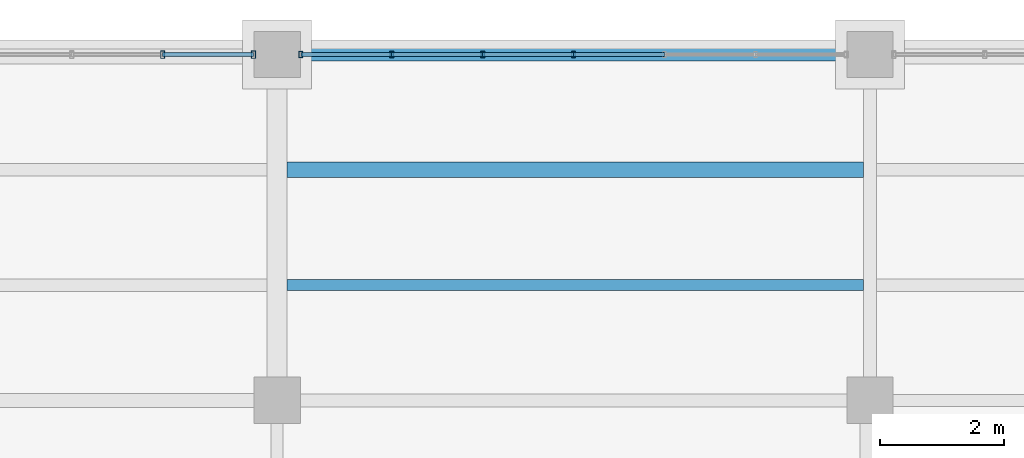
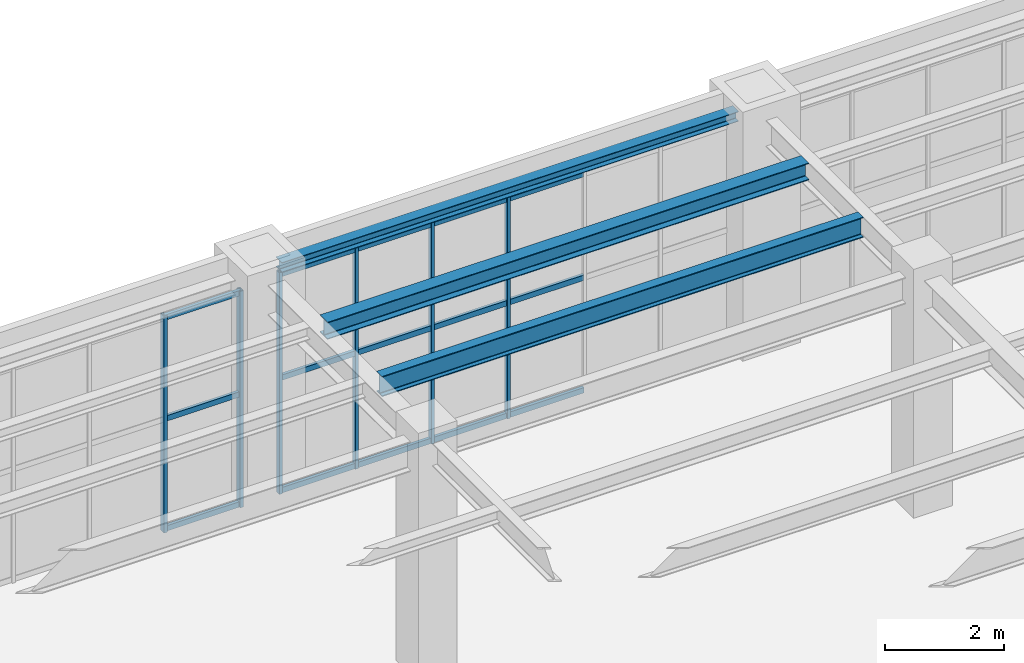
# One storey, part 75 of 174: 21 members, 3 beams, 2 elements without a shape of their own.
"""IFC4 building model written with IfcOpenShell, lengths in metres."""

from ifc_helpers import new_model, si_unit, direction, frame, origin, origin_2d, place, context, subcontext, project, spatial, hollow_rectangle, i_section, extrude, material, material_profile, profile_set, type_object, element, aggregate, save


model = new_model("IFC4")

# Units and contexts
model_context = context("Model", 3, precision=1e-05, world=origin(), true_north=direction((0.0, 1.0)))
body_context = subcontext(model_context, "Body", "Model", "MODEL_VIEW")
ifc_project = project(units=[si_unit("LENGTHUNIT", "METRE"), si_unit("AREAUNIT", "SQUARE_METRE"), si_unit("VOLUMEUNIT", "CUBIC_METRE"), si_unit("PLANEANGLEUNIT", "RADIAN"), si_unit("MASSUNIT", "GRAM", prefix="KILO")], contexts=[model_context])

# Site, building, storey
site_placement = place(None, origin())
site = spatial("IfcSite", under=ifc_project, at=site_placement, CompositionType="ELEMENT")
building_placement = place(site_placement, origin())
building = spatial("IfcBuilding", under=site, at=building_placement, Name="Mavantir Sound Aquarium", CompositionType="ELEMENT")
storey_placement = place(building_placement, frame((0.0, 0.0, 5.39990234375)))
storey = spatial("IfcBuildingStorey", under=building, at=storey_placement, Name="L01", CompositionType="ELEMENT", Elevation=5.39990234375)

# Beams
ifc_material_1 = material(Name="Structural Steel ASTM A992 Gr50", Category="steel")
ifc_material_profile_1 = material_profile(ifc_material_1, i_section(OverallWidth=0.202880859375, OverallDepth=0.202880859375, WebThickness=0.007080078125, FlangeThickness=0.010986328125, FilletRadius=0.010009765625, at=origin_2d()), Name="W200X46")
ifc_profile_set_1 = profile_set([ifc_material_profile_1], Name="Structural Steel ASTM A992 Gr50")
beam_type_1 = type_object("IfcBeamType", Name="BM-W200X46-E", PredefinedType="LINTEL", material=ifc_profile_set_1)
beam_1_placement = place(storey_placement, frame((9.97509765625, 116.0, 4.674560546875), z_axis=(1.0, 0.0, 0.0), x_axis=(0.0, 1.0, 0.0)))
element("IfcBeam", 1, at=beam_1_placement, inside=storey, type_object=beam_type_1, Name="L01 primary beam SL-20 1374", PredefinedType="LINTEL", context=body_context, shape_type="SweptSolid", body=[
    extrude(i_section(OverallWidth=0.202880859375, OverallDepth=0.202880859375, WebThickness=0.007080078125, FlangeThickness=0.010986328125, FilletRadius=0.010009765625, at=origin_2d()), origin(), (0.0, 0.0, 1.0), 8.849853515625),
])
ifc_material_profile_2 = material_profile(ifc_material_1, i_section(OverallWidth=0.25390625, OverallDepth=0.35302734375, WebThickness=0.009521484375, FlangeThickness=0.016357421875, FilletRadius=0.014892578125, at=origin_2d()), Name="W360X91")
ifc_profile_set_2 = profile_set([ifc_material_profile_2], Name="Structural Steel ASTM A992 Gr50")
beam_type_2 = type_object("IfcBeamType", Name="BM-W360X91-I", PredefinedType="JOIST", material=ifc_profile_set_2)
beam_2_placement = place(storey_placement, frame((9.761962890625, 114.13330078125, 4.599609375), z_axis=(1.0, 0.0, 0.0), x_axis=(0.0, 1.0, 0.0)))
element("IfcBeam", 2, at=beam_2_placement, inside=storey, type_object=beam_type_2, Name="L01 secondary floor joist SJ-36 826", PredefinedType="JOIST", context=body_context, shape_type="SweptSolid", body=[
    extrude(i_section(OverallWidth=0.25390625, OverallDepth=0.35302734375, WebThickness=0.009521484375, FlangeThickness=0.016357421875, FilletRadius=0.014892578125, at=origin_2d()), origin(), (0.0, 0.0, 1.0), 9.33203125),
])
ifc_material_profile_3 = material_profile(ifc_material_1, i_section(OverallWidth=0.180908203125, OverallDepth=0.4169921875, WebThickness=0.010986328125, FlangeThickness=0.018310546875, FilletRadius=0.014892578125, at=origin_2d()), Name="W410X85")
ifc_profile_set_3 = profile_set([ifc_material_profile_3], Name="Structural Steel ASTM A992 Gr50")
beam_type_3 = type_object("IfcBeamType", Name="BM-W410X85-I", PredefinedType="JOIST", material=ifc_profile_set_3)
beam_3_placement = place(storey_placement, frame((9.761962890625, 112.2666015625, 4.567626953125), z_axis=(1.0, 0.0, 0.0), x_axis=(0.0, 1.0, 0.0)))
element("IfcBeam", 3, at=beam_3_placement, inside=storey, type_object=beam_type_3, Name="L01 secondary floor joist SJ-41 825", PredefinedType="JOIST", context=body_context, shape_type="SweptSolid", body=[
    extrude(i_section(OverallWidth=0.180908203125, OverallDepth=0.4169921875, WebThickness=0.010986328125, FlangeThickness=0.018310546875, FilletRadius=0.014892578125, at=origin_2d()), origin(), (0.0, 0.0, 1.0), 9.33203125),
])

# Curtain wall, members
ifc_material_2 = material(Name="Anodised Marine Aluminium and Low-E Glass", Category="aluminium")
curtain_wall_type_1 = type_object("IfcCurtainWallType", Name="CW-T23", PredefinedType="USERDEFINED", material=ifc_material_2)
curtain_wall_1_placement = place(storey_placement, origin())
curtain_wall_1 = element("IfcCurtainWall", 4, at=curtain_wall_1_placement, inside=storey, type_object=curtain_wall_type_1, Name="L01 unitised curtain wall CW-23 119", ObjectType="UNITISED GLAZING", PredefinedType="USERDEFINED")
ifc_material_3 = material(Name="Anodised Marine Aluminium 6063-T6", Category="aluminium")
ifc_material_profile_4 = material_profile(ifc_material_3, hollow_rectangle(XDim=0.06005859375, YDim=0.10009765625, WallThickness=0.00390625, at=origin_2d()), Name="ALU-MULLION-100X60")
ifc_profile_set_4 = profile_set([ifc_material_profile_4], Name="Anodised Marine Aluminium 6063-T6")
member_type_1 = type_object("IfcMemberType", Name="CW-MUL-100", PredefinedType="MULLION", material=ifc_profile_set_4)
member_1_placement = place(storey_placement, frame((14.39990234375, 116.0, 0.0), z_axis=(0.0, 0.0, 1.0), x_axis=(1.0, 0.0, 0.0)))
member_1 = element("IfcMember", 5, at=member_1_placement, type_object=member_type_1, Name="CW-L01-119 vertical mullion 4", PredefinedType="MULLION", context=body_context, shape_type="SweptSolid", body=[
    extrude(hollow_rectangle(XDim=0.06005859375, YDim=0.10009765625, WallThickness=0.00390625, at=origin_2d()), origin(), (0.0, 0.0, 1.0), 4.543212890625),
])
member_2_placement = place(storey_placement, frame((12.927734375, 116.0, 0.0), z_axis=(0.0, 0.0, 1.0), x_axis=(1.0, 0.0, 0.0)))
member_2 = element("IfcMember", 6, at=member_2_placement, type_object=member_type_1, Name="CW-L01-119 vertical mullion 5", PredefinedType="MULLION", context=body_context, shape_type="SweptSolid", body=[
    extrude(hollow_rectangle(XDim=0.06005859375, YDim=0.10009765625, WallThickness=0.00390625, at=origin_2d()), origin(), (0.0, 0.0, 1.0), 4.543212890625),
])
member_3_placement = place(storey_placement, frame((11.455322265625, 116.0, 0.0), z_axis=(0.0, 0.0, 1.0), x_axis=(1.0, 0.0, 0.0)))
member_3 = element("IfcMember", 7, at=member_3_placement, type_object=member_type_1, Name="CW-L01-119 vertical mullion 6", PredefinedType="MULLION", context=body_context, shape_type="SweptSolid", body=[
    extrude(hollow_rectangle(XDim=0.06005859375, YDim=0.10009765625, WallThickness=0.00390625, at=origin_2d()), origin(), (0.0, 0.0, 1.0), 4.543212890625),
])
member_4_placement = place(storey_placement, frame((9.98291015625, 116.0, 0.0), z_axis=(0.0, 0.0, 1.0), x_axis=(1.0, 0.0, 0.0)))
member_4 = element("IfcMember", 8, at=member_4_placement, type_object=member_type_1, Name="CW-L01-119 vertical mullion 7", PredefinedType="MULLION", context=body_context, shape_type="SweptSolid", body=[
    extrude(hollow_rectangle(XDim=0.06005859375, YDim=0.10009765625, WallThickness=0.00390625, at=origin_2d()), origin(), (0.0, 0.0, 1.0), 4.543212890625),
])

curtain_wall_type_2 = type_object("IfcCurtainWallType", Name="CW-T24", PredefinedType="USERDEFINED", material=ifc_material_2)
curtain_wall_2_placement = place(storey_placement, origin())
curtain_wall_2 = element("IfcCurtainWall", 9, at=curtain_wall_2_placement, inside=storey, type_object=curtain_wall_type_2, Name="L01 unitised curtain wall CW-24 120", ObjectType="UNITISED GLAZING", PredefinedType="USERDEFINED")
ifc_material_profile_5 = material_profile(ifc_material_3, hollow_rectangle(XDim=0.06494140625, YDim=0.1201171875, WallThickness=0.00390625, at=origin_2d()), Name="ALU-MULLION-120X65")
ifc_profile_set_5 = profile_set([ifc_material_profile_5], Name="Anodised Marine Aluminium 6063-T6")
member_type_2 = type_object("IfcMemberType", Name="CW-MUL-120", PredefinedType="MULLION", material=ifc_profile_set_5)
member_5_placement = place(storey_placement, frame((9.217041015625, 116.0, 0.0), z_axis=(0.0, 0.0, 1.0), x_axis=(1.0, 0.0, 0.0)))
member_5 = element("IfcMember", 10, at=member_5_placement, type_object=member_type_2, Name="CW-L01-120 vertical mullion 1", PredefinedType="MULLION", context=body_context, shape_type="SweptSolid", body=[
    extrude(hollow_rectangle(XDim=0.06494140625, YDim=0.1201171875, WallThickness=0.00390625, at=origin_2d()), origin(), (0.0, 0.0, 1.0), 4.43798828125),
])
member_6_placement = place(storey_placement, frame((7.74462890625, 116.0, 0.0), z_axis=(0.0, 0.0, 1.0), x_axis=(1.0, 0.0, 0.0)))
member_6 = element("IfcMember", 11, at=member_6_placement, type_object=member_type_2, Name="CW-L01-120 vertical mullion 2", PredefinedType="MULLION", context=body_context, shape_type="SweptSolid", body=[
    extrude(hollow_rectangle(XDim=0.06494140625, YDim=0.1201171875, WallThickness=0.00390625, at=origin_2d()), origin(), (0.0, 0.0, 1.0), 4.43798828125),
])

# Member
ifc_material_profile_6 = material_profile(ifc_material_3, hollow_rectangle(XDim=0.06005859375, YDim=0.110107421875, WallThickness=0.00390625, at=origin_2d()), Name="ALU-TRANSOM-110X60")
ifc_profile_set_6 = profile_set([ifc_material_profile_6], Name="Anodised Marine Aluminium 6063-T6")
member_type_3 = type_object("IfcMemberType", Name="CW-TRN-110", PredefinedType="USERDEFINED", material=ifc_profile_set_6)
member_7_placement = place(storey_placement, frame((15.872314453125, 116.0, 0.05517578125), z_axis=(-1.0, 0.0, 0.0), x_axis=(0.0, -1.0, 0.0)))
member_7 = element("IfcMember", 12, at=member_7_placement, type_object=member_type_3, Name="CW-L01-119 transom 3.1", ObjectType="TRANSOM", PredefinedType="USERDEFINED", context=body_context, shape_type="SweptSolid", body=[
    extrude(hollow_rectangle(XDim=0.06005859375, YDim=0.110107421875, WallThickness=0.00390625, at=origin_2d()), origin(), (0.0, 0.0, 1.0), 1.472412109375),
])

member_8_placement = place(storey_placement, frame((15.872314453125, 116.0, 2.362548828125), z_axis=(-1.0, 0.0, 0.0), x_axis=(0.0, -1.0, 0.0)))
member_8 = element("IfcMember", 13, at=member_8_placement, type_object=member_type_3, Name="CW-L01-119 transom 3.2", ObjectType="TRANSOM", PredefinedType="USERDEFINED", context=body_context, shape_type="SweptSolid", body=[
    extrude(hollow_rectangle(XDim=0.06005859375, YDim=0.110107421875, WallThickness=0.00390625, at=origin_2d()), origin(), (0.0, 0.0, 1.0), 1.472412109375),
])

member_9_placement = place(storey_placement, frame((15.872314453125, 116.0, 4.488037109375), z_axis=(-1.0, 0.0, 0.0), x_axis=(0.0, -1.0, 0.0)))
member_9 = element("IfcMember", 14, at=member_9_placement, type_object=member_type_3, Name="CW-L01-119 transom 3.3", ObjectType="TRANSOM", PredefinedType="USERDEFINED", context=body_context, shape_type="SweptSolid", body=[
    extrude(hollow_rectangle(XDim=0.06005859375, YDim=0.110107421875, WallThickness=0.00390625, at=origin_2d()), origin(), (0.0, 0.0, 1.0), 1.472412109375),
])

member_10_placement = place(storey_placement, frame((14.39990234375, 116.0, 0.05517578125), z_axis=(-1.0, 0.0, 0.0), x_axis=(0.0, -1.0, 0.0)))
member_10 = element("IfcMember", 15, at=member_10_placement, type_object=member_type_3, Name="CW-L01-119 transom 4.1", ObjectType="TRANSOM", PredefinedType="USERDEFINED", context=body_context, shape_type="SweptSolid", body=[
    extrude(hollow_rectangle(XDim=0.06005859375, YDim=0.110107421875, WallThickness=0.00390625, at=origin_2d()), origin(), (0.0, 0.0, 1.0), 1.47216796875),
])

member_11_placement = place(storey_placement, frame((14.39990234375, 116.0, 2.362548828125), z_axis=(-1.0, 0.0, 0.0), x_axis=(0.0, -1.0, 0.0)))
member_11 = element("IfcMember", 16, at=member_11_placement, type_object=member_type_3, Name="CW-L01-119 transom 4.2", ObjectType="TRANSOM", PredefinedType="USERDEFINED", context=body_context, shape_type="SweptSolid", body=[
    extrude(hollow_rectangle(XDim=0.06005859375, YDim=0.110107421875, WallThickness=0.00390625, at=origin_2d()), origin(), (0.0, 0.0, 1.0), 1.47216796875),
])

member_12_placement = place(storey_placement, frame((14.39990234375, 116.0, 4.488037109375), z_axis=(-1.0, 0.0, 0.0), x_axis=(0.0, -1.0, 0.0)))
member_12 = element("IfcMember", 17, at=member_12_placement, type_object=member_type_3, Name="CW-L01-119 transom 4.3", ObjectType="TRANSOM", PredefinedType="USERDEFINED", context=body_context, shape_type="SweptSolid", body=[
    extrude(hollow_rectangle(XDim=0.06005859375, YDim=0.110107421875, WallThickness=0.00390625, at=origin_2d()), origin(), (0.0, 0.0, 1.0), 1.47216796875),
])

member_13_placement = place(storey_placement, frame((12.927734375, 116.0, 0.05517578125), z_axis=(-1.0, 0.0, 0.0), x_axis=(0.0, -1.0, 0.0)))
member_13 = element("IfcMember", 18, at=member_13_placement, type_object=member_type_3, Name="CW-L01-119 transom 5.1", ObjectType="TRANSOM", PredefinedType="USERDEFINED", context=body_context, shape_type="SweptSolid", body=[
    extrude(hollow_rectangle(XDim=0.06005859375, YDim=0.110107421875, WallThickness=0.00390625, at=origin_2d()), origin(), (0.0, 0.0, 1.0), 1.472412109375),
])

member_14_placement = place(storey_placement, frame((12.927734375, 116.0, 2.362548828125), z_axis=(-1.0, 0.0, 0.0), x_axis=(0.0, -1.0, 0.0)))
member_14 = element("IfcMember", 19, at=member_14_placement, type_object=member_type_3, Name="CW-L01-119 transom 5.2", ObjectType="TRANSOM", PredefinedType="USERDEFINED", context=body_context, shape_type="SweptSolid", body=[
    extrude(hollow_rectangle(XDim=0.06005859375, YDim=0.110107421875, WallThickness=0.00390625, at=origin_2d()), origin(), (0.0, 0.0, 1.0), 1.472412109375),
])

member_15_placement = place(storey_placement, frame((12.927734375, 116.0, 4.488037109375), z_axis=(-1.0, 0.0, 0.0), x_axis=(0.0, -1.0, 0.0)))
member_15 = element("IfcMember", 20, at=member_15_placement, type_object=member_type_3, Name="CW-L01-119 transom 5.3", ObjectType="TRANSOM", PredefinedType="USERDEFINED", context=body_context, shape_type="SweptSolid", body=[
    extrude(hollow_rectangle(XDim=0.06005859375, YDim=0.110107421875, WallThickness=0.00390625, at=origin_2d()), origin(), (0.0, 0.0, 1.0), 1.472412109375),
])

member_16_placement = place(storey_placement, frame((11.455322265625, 116.0, 0.05517578125), z_axis=(-1.0, 0.0, 0.0), x_axis=(0.0, -1.0, 0.0)))
member_16 = element("IfcMember", 21, at=member_16_placement, type_object=member_type_3, Name="CW-L01-119 transom 6.1", ObjectType="TRANSOM", PredefinedType="USERDEFINED", context=body_context, shape_type="SweptSolid", body=[
    extrude(hollow_rectangle(XDim=0.06005859375, YDim=0.110107421875, WallThickness=0.00390625, at=origin_2d()), origin(), (0.0, 0.0, 1.0), 1.472412109375),
])

member_17_placement = place(storey_placement, frame((11.455322265625, 116.0, 2.362548828125), z_axis=(-1.0, 0.0, 0.0), x_axis=(0.0, -1.0, 0.0)))
member_17 = element("IfcMember", 22, at=member_17_placement, type_object=member_type_3, Name="CW-L01-119 transom 6.2", ObjectType="TRANSOM", PredefinedType="USERDEFINED", context=body_context, shape_type="SweptSolid", body=[
    extrude(hollow_rectangle(XDim=0.06005859375, YDim=0.110107421875, WallThickness=0.00390625, at=origin_2d()), origin(), (0.0, 0.0, 1.0), 1.472412109375),
])

member_18_placement = place(storey_placement, frame((11.455322265625, 116.0, 4.488037109375), z_axis=(-1.0, 0.0, 0.0), x_axis=(0.0, -1.0, 0.0)))
member_18 = element("IfcMember", 23, at=member_18_placement, type_object=member_type_3, Name="CW-L01-119 transom 6.3", ObjectType="TRANSOM", PredefinedType="USERDEFINED", context=body_context, shape_type="SweptSolid", body=[
    extrude(hollow_rectangle(XDim=0.06005859375, YDim=0.110107421875, WallThickness=0.00390625, at=origin_2d()), origin(), (0.0, 0.0, 1.0), 1.472412109375),
])

aggregate(curtain_wall_1, [member_1, member_2, member_3, member_4, member_7, member_8, member_9, member_10, member_11, member_12, member_13, member_14, member_15, member_16, member_17, member_18])

member_19_placement = place(storey_placement, frame((9.217041015625, 116.0, 0.05517578125), z_axis=(-1.0, 0.0, 0.0), x_axis=(0.0, -1.0, 0.0)))
member_19 = element("IfcMember", 24, at=member_19_placement, type_object=member_type_3, Name="CW-L01-120 transom 1.1", ObjectType="TRANSOM", PredefinedType="USERDEFINED", context=body_context, shape_type="SweptSolid", body=[
    extrude(hollow_rectangle(XDim=0.06005859375, YDim=0.110107421875, WallThickness=0.00390625, at=origin_2d()), origin(), (0.0, 0.0, 1.0), 1.472412109375),
])

member_20_placement = place(storey_placement, frame((9.217041015625, 116.0, 2.307861328125), z_axis=(-1.0, 0.0, 0.0), x_axis=(0.0, -1.0, 0.0)))
member_20 = element("IfcMember", 25, at=member_20_placement, type_object=member_type_3, Name="CW-L01-120 transom 1.2", ObjectType="TRANSOM", PredefinedType="USERDEFINED", context=body_context, shape_type="SweptSolid", body=[
    extrude(hollow_rectangle(XDim=0.06005859375, YDim=0.110107421875, WallThickness=0.00390625, at=origin_2d()), origin(), (0.0, 0.0, 1.0), 1.472412109375),
])

member_21_placement = place(storey_placement, frame((9.217041015625, 116.0, 4.383056640625), z_axis=(-1.0, 0.0, 0.0), x_axis=(0.0, -1.0, 0.0)))
member_21 = element("IfcMember", 26, at=member_21_placement, type_object=member_type_3, Name="CW-L01-120 transom 1.3", ObjectType="TRANSOM", PredefinedType="USERDEFINED", context=body_context, shape_type="SweptSolid", body=[
    extrude(hollow_rectangle(XDim=0.06005859375, YDim=0.110107421875, WallThickness=0.00390625, at=origin_2d()), origin(), (0.0, 0.0, 1.0), 1.472412109375),
])

aggregate(curtain_wall_2, [member_5, member_6, member_19, member_20, member_21])

save(model, "model.ifc")
